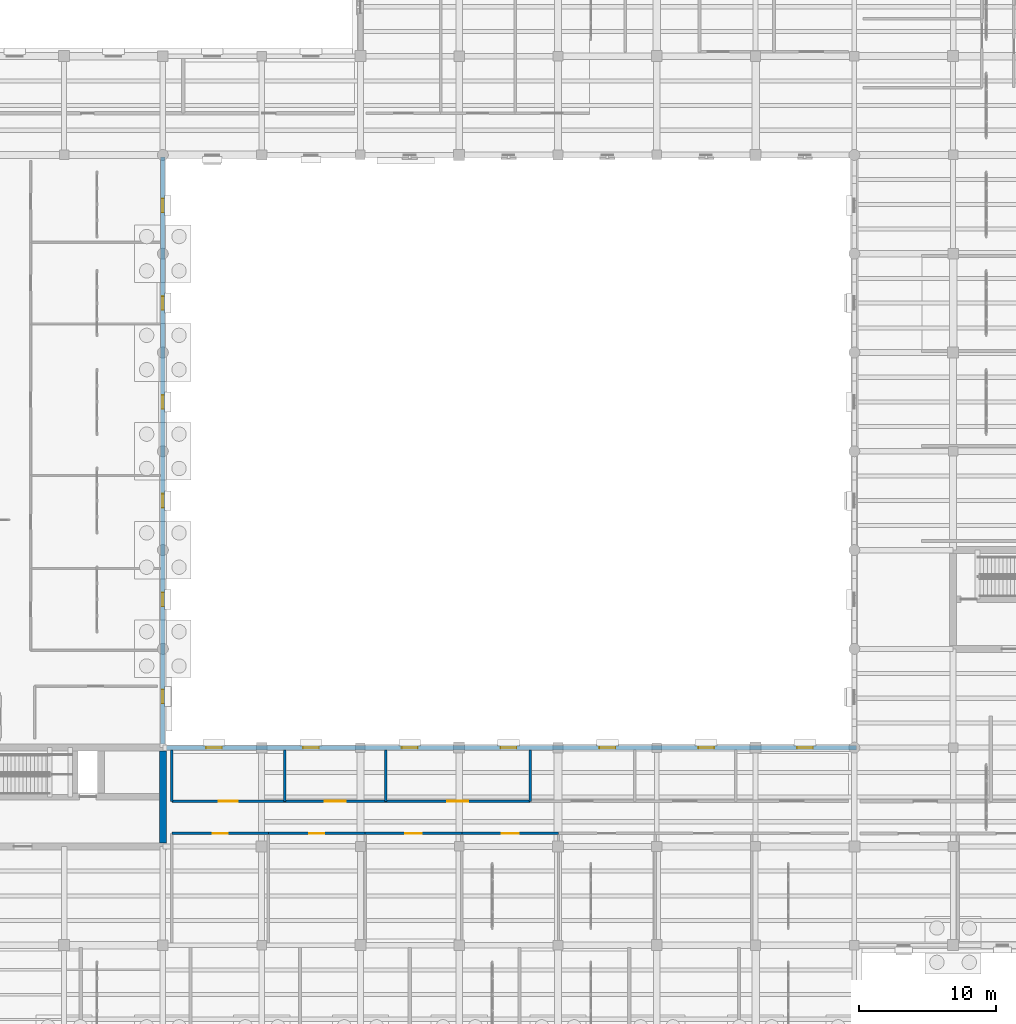
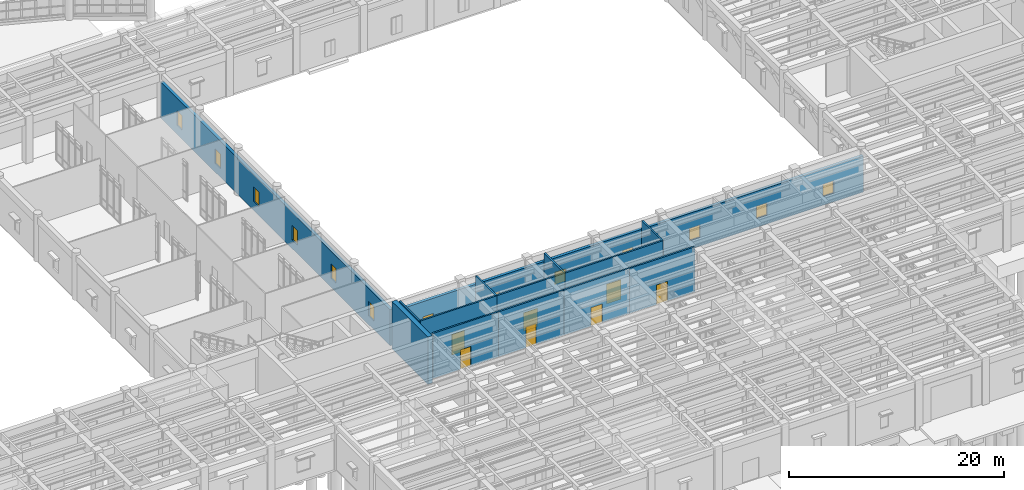
# One storey, part 73 of 100: 14 walls, 13 windows, 7 doors, 20 openings.
"""IFC4 building model written with IfcOpenShell, lengths in metres."""

from ifc_helpers import new_model, si_unit, direction, frame, frame_2d, origin, place, context, subcontext, project, spatial, rectangle, extrude, material, layer, layer_set, type_object, element, fill, save


model = new_model("IFC4")

# Units and contexts
model_context = context("Model", 3, precision=1e-05, world=origin(), true_north=direction((0.0, 1.0)))
body_context = subcontext(model_context, "Body", "Model", "MODEL_VIEW")
ifc_project = project(units=[si_unit("LENGTHUNIT", "METRE"), si_unit("AREAUNIT", "SQUARE_METRE"), si_unit("VOLUMEUNIT", "CUBIC_METRE"), si_unit("PLANEANGLEUNIT", "RADIAN"), si_unit("MASSUNIT", "GRAM", prefix="KILO")], contexts=[model_context])

# Site, building, storey
site_placement = place(None, origin())
site = spatial("IfcSite", under=ifc_project, at=site_placement, CompositionType="ELEMENT")
building_placement = place(site_placement, origin())
building = spatial("IfcBuilding", under=site, at=building_placement, Name="Mithqara Police Headquarters", CompositionType="ELEMENT")
storey_placement = place(building_placement, origin())
storey = spatial("IfcBuildingStorey", under=building, at=storey_placement, Name="L00", CompositionType="ELEMENT", Elevation=0.0)

# Wall, openings, windows
ifc_material_1 = material(Name="Limestone ashlar masonry, 45 MPa", Category="masonry")
ifc_layer_1 = layer(ifc_material_1, 0.320068359375, Name="Limestone ashlar masonry, 45 MPa")
ifc_layer_set_1 = layer_set([ifc_layer_1], Name="Limestone ashlar masonry, 45 MPa")
wall_type_1 = type_object("IfcWallType", Name="EXT WALL LIMESTONE320", PredefinedType="SOLIDWALL", material=ifc_layer_set_1)
wall_1_placement = place(storey_placement, frame((94.199951171875, 35.64990234375, 0.0), z_axis=(0.0, 0.0, 1.0), x_axis=(0.0, 1.0, 0.0)))
wall_1 = element("IfcWall", 1, at=wall_1_placement, inside=storey, type_object=wall_type_1, Name="L00 Exterior Wall 1.1", PredefinedType="SOLIDWALL", context=body_context, shape_type="SweptSolid", body=[
    extrude(rectangle(XDim=42.7900390625, YDim=0.320068359375, at=frame_2d((21.39501953125, 0.0))), origin(), (0.0, 0.0, 1.0), 4.1201171875),
])
opening_1_placement = place(wall_1_placement, frame((2.97509765625, 0.0, 1.0)))
opening_1 = element("IfcOpeningElement", 2, at=opening_1_placement, cuts=wall_1, Name="Opening W-07", PredefinedType="OPENING", context=body_context, shape_type="SweptSolid", body=[
    extrude(rectangle(XDim=1.0, YDim=1.64990234375, at=frame_2d((0.5, 0.824951171875))), frame((0.0, 0.169921875, 0.0), z_axis=(0.0, -1.0, 0.0), x_axis=(1.0, 0.0, 0.0)), (0.0, 0.0, 1.0), 0.340087890625),
])
opening_2_placement = place(wall_1_placement, frame((10.050048828125, 0.0, 1.0)))
opening_2 = element("IfcOpeningElement", 3, at=opening_2_placement, cuts=wall_1, Name="Opening W-07", PredefinedType="OPENING", context=body_context, shape_type="SweptSolid", body=[
    extrude(rectangle(XDim=1.0, YDim=1.64990234375, at=frame_2d((0.5, 0.824951171875))), frame((0.0, 0.169921875, 0.0), z_axis=(0.0, -1.0, 0.0), x_axis=(1.0, 0.0, 0.0)), (0.0, 0.0, 1.0), 0.340087890625),
])
opening_3_placement = place(wall_1_placement, frame((17.25, 0.0, 1.0)))
opening_3 = element("IfcOpeningElement", 4, at=opening_3_placement, cuts=wall_1, Name="Opening W-07", PredefinedType="OPENING", context=body_context, shape_type="SweptSolid", body=[
    extrude(rectangle(XDim=1.0, YDim=1.64990234375, at=frame_2d((0.5, 0.824951171875))), frame((0.0, 0.169921875, 0.0), z_axis=(0.0, -1.0, 0.0), x_axis=(1.0, 0.0, 0.0)), (0.0, 0.0, 1.0), 0.340087890625),
])
opening_4_placement = place(wall_1_placement, frame((24.449951171875, 0.0, 1.0)))
opening_4 = element("IfcOpeningElement", 5, at=opening_4_placement, cuts=wall_1, Name="Opening W-07", PredefinedType="OPENING", context=body_context, shape_type="SweptSolid", body=[
    extrude(rectangle(XDim=1.0, YDim=1.64990234375, at=frame_2d((0.5, 0.824951171875))), frame((0.0, 0.169921875, 0.0), z_axis=(0.0, -1.0, 0.0), x_axis=(1.0, 0.0, 0.0)), (0.0, 0.0, 1.0), 0.340087890625),
])
opening_5_placement = place(wall_1_placement, frame((31.64990234375, 0.0, 1.0)))
opening_5 = element("IfcOpeningElement", 6, at=opening_5_placement, cuts=wall_1, Name="Opening W-07", PredefinedType="OPENING", context=body_context, shape_type="SweptSolid", body=[
    extrude(rectangle(XDim=1.0, YDim=1.64990234375, at=frame_2d((0.5, 0.824951171875))), frame((0.0, 0.169921875, 0.0), z_axis=(0.0, -1.0, 0.0), x_axis=(1.0, 0.0, 0.0)), (0.0, 0.0, 1.0), 0.340087890625),
])
opening_6_placement = place(wall_1_placement, frame((38.77001953125, 0.0, 1.0)))
opening_6 = element("IfcOpeningElement", 7, at=opening_6_placement, cuts=wall_1, Name="Opening W-07", PredefinedType="OPENING", context=body_context, shape_type="SweptSolid", body=[
    extrude(rectangle(XDim=1.0, YDim=1.64990234375, at=frame_2d((0.5, 0.824951171875))), frame((0.0, 0.169921875, 0.0), z_axis=(0.0, -1.0, 0.0), x_axis=(1.0, 0.0, 0.0)), (0.0, 0.0, 1.0), 0.340087890625),
])
ifc_material_2 = material(Name="Spectrally selective double low-e glass", Category="glass")
window_type_1 = type_object("IfcWindowType", Name="WINDOW 1000X1650", PartitioningType="SINGLE_PANEL", PredefinedType="WINDOW", material=ifc_material_2)
window_1_placement = place(opening_1_placement, origin())
window_1 = element("IfcWindow", 8, at=window_1_placement, inside=storey, type_object=window_type_1, Name="L00 Deep-Set Punched Window 1.1", OverallHeight=1.64990234375, OverallWidth=1.0, PartitioningType="SINGLE_PANEL", PredefinedType="WINDOW", context=body_context, shape_type="SweptSolid", body=[
    extrude(rectangle(XDim=1.0, YDim=1.64990234375, at=frame_2d((0.5, 0.824951171875))), frame((0.0, 0.030029296875, 0.0), z_axis=(0.0, -1.0, 0.0), x_axis=(1.0, 0.0, 0.0)), (0.0, 0.0, 1.0), 0.06005859375),
])
fill(opening_1, window_1)
window_2_placement = place(opening_2_placement, origin())
window_2 = element("IfcWindow", 9, at=window_2_placement, inside=storey, type_object=window_type_1, Name="L00 Deep-Set Punched Window 1.2", OverallHeight=1.64990234375, OverallWidth=1.0, PartitioningType="SINGLE_PANEL", PredefinedType="WINDOW", context=body_context, shape_type="SweptSolid", body=[
    extrude(rectangle(XDim=1.0, YDim=1.64990234375, at=frame_2d((0.5, 0.824951171875))), frame((0.0, 0.030029296875, 0.0), z_axis=(0.0, -1.0, 0.0), x_axis=(1.0, 0.0, 0.0)), (0.0, 0.0, 1.0), 0.06005859375),
])
fill(opening_2, window_2)
window_3_placement = place(opening_3_placement, origin())
window_3 = element("IfcWindow", 10, at=window_3_placement, inside=storey, type_object=window_type_1, Name="L00 Deep-Set Punched Window 1.3", OverallHeight=1.64990234375, OverallWidth=1.0, PartitioningType="SINGLE_PANEL", PredefinedType="WINDOW", context=body_context, shape_type="SweptSolid", body=[
    extrude(rectangle(XDim=1.0, YDim=1.64990234375, at=frame_2d((0.5, 0.824951171875))), frame((0.0, 0.030029296875, 0.0), z_axis=(0.0, -1.0, 0.0), x_axis=(1.0, 0.0, 0.0)), (0.0, 0.0, 1.0), 0.06005859375),
])
fill(opening_3, window_3)
window_4_placement = place(opening_4_placement, origin())
window_4 = element("IfcWindow", 11, at=window_4_placement, inside=storey, type_object=window_type_1, Name="L00 Deep-Set Punched Window 1.4", OverallHeight=1.64990234375, OverallWidth=1.0, PartitioningType="SINGLE_PANEL", PredefinedType="WINDOW", context=body_context, shape_type="SweptSolid", body=[
    extrude(rectangle(XDim=1.0, YDim=1.64990234375, at=frame_2d((0.5, 0.824951171875))), frame((0.0, 0.030029296875, 0.0), z_axis=(0.0, -1.0, 0.0), x_axis=(1.0, 0.0, 0.0)), (0.0, 0.0, 1.0), 0.06005859375),
])
fill(opening_4, window_4)
window_5_placement = place(opening_5_placement, origin())
window_5 = element("IfcWindow", 12, at=window_5_placement, inside=storey, type_object=window_type_1, Name="L00 Deep-Set Punched Window 1.5", OverallHeight=1.64990234375, OverallWidth=1.0, PartitioningType="SINGLE_PANEL", PredefinedType="WINDOW", context=body_context, shape_type="SweptSolid", body=[
    extrude(rectangle(XDim=1.0, YDim=1.64990234375, at=frame_2d((0.5, 0.824951171875))), frame((0.0, 0.030029296875, 0.0), z_axis=(0.0, -1.0, 0.0), x_axis=(1.0, 0.0, 0.0)), (0.0, 0.0, 1.0), 0.06005859375),
])
fill(opening_5, window_5)
window_6_placement = place(opening_6_placement, origin())
window_6 = element("IfcWindow", 13, at=window_6_placement, inside=storey, type_object=window_type_1, Name="L00 Deep-Set Punched Window 1.6", OverallHeight=1.64990234375, OverallWidth=1.0, PartitioningType="SINGLE_PANEL", PredefinedType="WINDOW", context=body_context, shape_type="SweptSolid", body=[
    extrude(rectangle(XDim=1.0, YDim=1.64990234375, at=frame_2d((0.5, 0.824951171875))), frame((0.0, 0.030029296875, 0.0), z_axis=(0.0, -1.0, 0.0), x_axis=(1.0, 0.0, 0.0)), (0.0, 0.0, 1.0), 0.06005859375),
])
fill(opening_6, window_6)

wall_2_placement = place(storey_placement, frame((144.760009765625, 35.39990234375, 0.0), z_axis=(0.0, 0.0, 1.0), x_axis=(-1.0, 0.0, 0.0)))
wall_2 = element("IfcWall", 14, at=wall_2_placement, inside=storey, type_object=wall_type_1, Name="L00 Exterior Wall 5.1", PredefinedType="SOLIDWALL", context=body_context, shape_type="SweptSolid", body=[
    extrude(rectangle(XDim=50.31005859375, YDim=0.320068359375, at=frame_2d((25.155029296875, 0.0))), origin(), (0.0, 0.0, 1.0), 4.1201171875),
])
opening_7_placement = place(wall_2_placement, frame((46.260009765625, 0.0, 1.0)))
opening_7 = element("IfcOpeningElement", 15, at=opening_7_placement, cuts=wall_2, Name="Opening W-11", PredefinedType="OPENING", context=body_context, shape_type="SweptSolid", body=[
    extrude(rectangle(XDim=1.14990234375, YDim=1.39990234375, at=frame_2d((0.574951171875, 0.699951171875))), frame((0.0, 0.169921875, 0.0), z_axis=(0.0, -1.0, 0.0), x_axis=(1.0, 0.0, 0.0)), (0.0, 0.0, 1.0), 0.340087890625),
])
opening_8_placement = place(wall_2_placement, frame((39.18505859375, 0.0, 1.0)))
opening_8 = element("IfcOpeningElement", 16, at=opening_8_placement, cuts=wall_2, Name="Opening W-11", PredefinedType="OPENING", context=body_context, shape_type="SweptSolid", body=[
    extrude(rectangle(XDim=1.14990234375, YDim=1.39990234375, at=frame_2d((0.574951171875, 0.699951171875))), frame((0.0, 0.169921875, 0.0), z_axis=(0.0, -1.0, 0.0), x_axis=(1.0, 0.0, 0.0)), (0.0, 0.0, 1.0), 0.340087890625),
])
opening_9_placement = place(wall_2_placement, frame((31.985107421875, 0.0, 1.0)))
opening_9 = element("IfcOpeningElement", 17, at=opening_9_placement, cuts=wall_2, Name="Opening W-11", PredefinedType="OPENING", context=body_context, shape_type="SweptSolid", body=[
    extrude(rectangle(XDim=1.14990234375, YDim=1.39990234375, at=frame_2d((0.574951171875, 0.699951171875))), frame((0.0, 0.169921875, 0.0), z_axis=(0.0, -1.0, 0.0), x_axis=(1.0, 0.0, 0.0)), (0.0, 0.0, 1.0), 0.340087890625),
])
opening_10_placement = place(wall_2_placement, frame((24.784912109375, 0.0, 1.0)))
opening_10 = element("IfcOpeningElement", 18, at=opening_10_placement, cuts=wall_2, Name="Opening W-11", PredefinedType="OPENING", context=body_context, shape_type="SweptSolid", body=[
    extrude(rectangle(XDim=1.14990234375, YDim=1.39990234375, at=frame_2d((0.574951171875, 0.699951171875))), frame((0.0, 0.169921875, 0.0), z_axis=(0.0, -1.0, 0.0), x_axis=(1.0, 0.0, 0.0)), (0.0, 0.0, 1.0), 0.340087890625),
])
opening_11_placement = place(wall_2_placement, frame((17.5849609375, 0.0, 1.0)))
opening_11 = element("IfcOpeningElement", 19, at=opening_11_placement, cuts=wall_2, Name="Opening W-11", PredefinedType="OPENING", context=body_context, shape_type="SweptSolid", body=[
    extrude(rectangle(XDim=1.14990234375, YDim=1.39990234375, at=frame_2d((0.574951171875, 0.699951171875))), frame((0.0, 0.169921875, 0.0), z_axis=(0.0, -1.0, 0.0), x_axis=(1.0, 0.0, 0.0)), (0.0, 0.0, 1.0), 0.340087890625),
])
opening_12_placement = place(wall_2_placement, frame((10.385009765625, 0.0, 1.0)))
opening_12 = element("IfcOpeningElement", 20, at=opening_12_placement, cuts=wall_2, Name="Opening W-11", PredefinedType="OPENING", context=body_context, shape_type="SweptSolid", body=[
    extrude(rectangle(XDim=1.14990234375, YDim=1.39990234375, at=frame_2d((0.574951171875, 0.699951171875))), frame((0.0, 0.169921875, 0.0), z_axis=(0.0, -1.0, 0.0), x_axis=(1.0, 0.0, 0.0)), (0.0, 0.0, 1.0), 0.340087890625),
])
opening_13_placement = place(wall_2_placement, frame((3.18505859375, 0.0, 1.0)))
opening_13 = element("IfcOpeningElement", 21, at=opening_13_placement, cuts=wall_2, Name="Opening W-11", PredefinedType="OPENING", context=body_context, shape_type="SweptSolid", body=[
    extrude(rectangle(XDim=1.14990234375, YDim=1.39990234375, at=frame_2d((0.574951171875, 0.699951171875))), frame((0.0, 0.169921875, 0.0), z_axis=(0.0, -1.0, 0.0), x_axis=(1.0, 0.0, 0.0)), (0.0, 0.0, 1.0), 0.340087890625),
])
window_type_2 = type_object("IfcWindowType", Name="WINDOW 1150X1400", PartitioningType="SINGLE_PANEL", PredefinedType="WINDOW", material=ifc_material_2)
window_7_placement = place(opening_7_placement, origin())
window_7 = element("IfcWindow", 22, at=window_7_placement, inside=storey, type_object=window_type_2, Name="L00 Deep-Set Punched Window 5.1", OverallHeight=1.39990234375, OverallWidth=1.14990234375, PartitioningType="SINGLE_PANEL", PredefinedType="WINDOW", context=body_context, shape_type="SweptSolid", body=[
    extrude(rectangle(XDim=1.14990234375, YDim=1.39990234375, at=frame_2d((0.574951171875, 0.699951171875))), frame((0.0, 0.030029296875, 0.0), z_axis=(0.0, -1.0, 0.0), x_axis=(1.0, 0.0, 0.0)), (0.0, 0.0, 1.0), 0.06005859375),
])
fill(opening_7, window_7)
window_8_placement = place(opening_8_placement, origin())
window_8 = element("IfcWindow", 23, at=window_8_placement, inside=storey, type_object=window_type_2, Name="L00 Deep-Set Punched Window 5.2", OverallHeight=1.39990234375, OverallWidth=1.14990234375, PartitioningType="SINGLE_PANEL", PredefinedType="WINDOW", context=body_context, shape_type="SweptSolid", body=[
    extrude(rectangle(XDim=1.14990234375, YDim=1.39990234375, at=frame_2d((0.574951171875, 0.699951171875))), frame((0.0, 0.030029296875, 0.0), z_axis=(0.0, -1.0, 0.0), x_axis=(1.0, 0.0, 0.0)), (0.0, 0.0, 1.0), 0.06005859375),
])
fill(opening_8, window_8)
window_9_placement = place(opening_9_placement, origin())
window_9 = element("IfcWindow", 24, at=window_9_placement, inside=storey, type_object=window_type_2, Name="L00 Deep-Set Punched Window 5.3", OverallHeight=1.39990234375, OverallWidth=1.14990234375, PartitioningType="SINGLE_PANEL", PredefinedType="WINDOW", context=body_context, shape_type="SweptSolid", body=[
    extrude(rectangle(XDim=1.14990234375, YDim=1.39990234375, at=frame_2d((0.574951171875, 0.699951171875))), frame((0.0, 0.030029296875, 0.0), z_axis=(0.0, -1.0, 0.0), x_axis=(1.0, 0.0, 0.0)), (0.0, 0.0, 1.0), 0.06005859375),
])
fill(opening_9, window_9)
window_10_placement = place(opening_10_placement, origin())
window_10 = element("IfcWindow", 25, at=window_10_placement, inside=storey, type_object=window_type_2, Name="L00 Deep-Set Punched Window 5.4", OverallHeight=1.39990234375, OverallWidth=1.14990234375, PartitioningType="SINGLE_PANEL", PredefinedType="WINDOW", context=body_context, shape_type="SweptSolid", body=[
    extrude(rectangle(XDim=1.14990234375, YDim=1.39990234375, at=frame_2d((0.574951171875, 0.699951171875))), frame((0.0, 0.030029296875, 0.0), z_axis=(0.0, -1.0, 0.0), x_axis=(1.0, 0.0, 0.0)), (0.0, 0.0, 1.0), 0.06005859375),
])
fill(opening_10, window_10)
window_11_placement = place(opening_11_placement, origin())
window_11 = element("IfcWindow", 26, at=window_11_placement, inside=storey, type_object=window_type_2, Name="L00 Deep-Set Punched Window 5.5", OverallHeight=1.39990234375, OverallWidth=1.14990234375, PartitioningType="SINGLE_PANEL", PredefinedType="WINDOW", context=body_context, shape_type="SweptSolid", body=[
    extrude(rectangle(XDim=1.14990234375, YDim=1.39990234375, at=frame_2d((0.574951171875, 0.699951171875))), frame((0.0, 0.030029296875, 0.0), z_axis=(0.0, -1.0, 0.0), x_axis=(1.0, 0.0, 0.0)), (0.0, 0.0, 1.0), 0.06005859375),
])
fill(opening_11, window_11)
window_12_placement = place(opening_12_placement, origin())
window_12 = element("IfcWindow", 27, at=window_12_placement, inside=storey, type_object=window_type_2, Name="L00 Deep-Set Punched Window 5.6", OverallHeight=1.39990234375, OverallWidth=1.14990234375, PartitioningType="SINGLE_PANEL", PredefinedType="WINDOW", context=body_context, shape_type="SweptSolid", body=[
    extrude(rectangle(XDim=1.14990234375, YDim=1.39990234375, at=frame_2d((0.574951171875, 0.699951171875))), frame((0.0, 0.030029296875, 0.0), z_axis=(0.0, -1.0, 0.0), x_axis=(1.0, 0.0, 0.0)), (0.0, 0.0, 1.0), 0.06005859375),
])
fill(opening_12, window_12)
window_13_placement = place(opening_13_placement, origin())
window_13 = element("IfcWindow", 28, at=window_13_placement, inside=storey, type_object=window_type_2, Name="L00 Deep-Set Punched Window 5.7", OverallHeight=1.39990234375, OverallWidth=1.14990234375, PartitioningType="SINGLE_PANEL", PredefinedType="WINDOW", context=body_context, shape_type="SweptSolid", body=[
    extrude(rectangle(XDim=1.14990234375, YDim=1.39990234375, at=frame_2d((0.574951171875, 0.699951171875))), frame((0.0, 0.030029296875, 0.0), z_axis=(0.0, -1.0, 0.0), x_axis=(1.0, 0.0, 0.0)), (0.0, 0.0, 1.0), 0.06005859375),
])
fill(opening_13, window_13)

# Wall, opening, door
ifc_material_3 = material(Name="Concrete C40/50", Category="concrete")
ifc_layer_2 = layer(ifc_material_3, 0.179931640625, Name="Concrete C40/50")
ifc_layer_set_2 = layer_set([ifc_layer_2], Name="Concrete C40/50")
wall_type_2 = type_object("IfcWallType", Name="PART WALL 180", PredefinedType="PARTITIONING", material=ifc_layer_set_2)
wall_3_placement = place(storey_placement, frame((94.85009765625, 29.14990234375, 0.0), z_axis=(0.0, 0.0, 1.0), x_axis=(1.0, 0.0, 0.0)))
wall_3 = element("IfcWall", 29, at=wall_3_placement, inside=storey, type_object=wall_type_2, Name="L00 Corridor Wall Lost and Found Counter", PredefinedType="PARTITIONING", context=body_context, shape_type="SweptSolid", body=[
    extrude(rectangle(XDim=7.046875, YDim=0.179931640625, at=frame_2d((3.5234375, 0.0))), origin(), (0.0, 0.0, 1.0), 5.1201171875),
])
opening_14_placement = place(wall_3_placement, frame((2.973388671875, 0.0, 0.0)))
opening_14 = element("IfcOpeningElement", 30, at=opening_14_placement, cuts=wall_3, Name="Opening D-11", PredefinedType="OPENING", context=body_context, shape_type="SweptSolid", body=[
    extrude(rectangle(XDim=1.10009765625, YDim=2.219970703125, at=frame_2d((0.550048828125, 1.10986328125))), frame((0.0, 0.10009765625, 0.0), z_axis=(0.0, -1.0, 0.0), x_axis=(1.0, 0.0, 0.0)), (0.0, 0.0, 1.0), 0.199951171875),
])
ifc_material_4 = material(Name="Acoustic solid-core timber leaf", Category="wood")
door_type_1 = type_object("IfcDoorType", Name="INT DOOR 1100X2220", OperationType="NOTDEFINED", PredefinedType="DOOR", material=ifc_material_4)
door_1_placement = place(opening_14_placement, frame((1.10009765625, 0.0, 0.0), z_axis=(0.0, 0.0, 1.0), x_axis=(-1.0, 0.0, 0.0)))
door_1 = element("IfcDoor", 31, at=door_1_placement, inside=storey, type_object=door_type_1, Name="Lost and Found Counter Entry Door", OperationType="SINGLE_SWING_RIGHT", OverallHeight=2.219970703125, OverallWidth=1.10009765625, PredefinedType="DOOR", context=body_context, shape_type="SweptSolid", body=[
    extrude(rectangle(XDim=1.10009765625, YDim=2.219970703125, at=frame_2d((0.550048828125, 1.10986328125))), frame((0.0, 0.02490234375, 0.0), z_axis=(0.0, -1.0, 0.0), x_axis=(1.0, 0.0, 0.0)), (0.0, 0.0, 1.0), 0.050048828125),
])
fill(opening_14, door_1)

wall_4_placement = place(storey_placement, frame((101.89697265625, 29.14990234375, 0.0), z_axis=(0.0, 0.0, 1.0), x_axis=(1.0, 0.0, 0.0)))
wall_4 = element("IfcWall", 32, at=wall_4_placement, inside=storey, type_object=wall_type_2, Name="L00 Corridor Wall Victim Support Consultation Room", PredefinedType="PARTITIONING", context=body_context, shape_type="SweptSolid", body=[
    extrude(rectangle(XDim=7.047119140625, YDim=0.179931640625, at=frame_2d((3.5234375, 0.0))), origin(), (0.0, 0.0, 1.0), 5.1201171875),
])
opening_15_placement = place(wall_4_placement, frame((2.973388671875, 0.0, 0.0)))
opening_15 = element("IfcOpeningElement", 33, at=opening_15_placement, cuts=wall_4, Name="Opening D-12", PredefinedType="OPENING", context=body_context, shape_type="SweptSolid", body=[
    extrude(rectangle(XDim=1.10009765625, YDim=2.35009765625, at=frame_2d((0.550048828125, 1.175048828125))), frame((0.0, 0.10009765625, 0.0), z_axis=(0.0, -1.0, 0.0), x_axis=(1.0, 0.0, 0.0)), (0.0, 0.0, 1.0), 0.199951171875),
])
door_type_2 = type_object("IfcDoorType", Name="INT DOOR 1100X2350", OperationType="NOTDEFINED", PredefinedType="DOOR", material=ifc_material_4)
door_2_placement = place(opening_15_placement, frame((1.10009765625, 0.0, 0.0), z_axis=(0.0, 0.0, 1.0), x_axis=(-1.0, 0.0, 0.0)))
door_2 = element("IfcDoor", 34, at=door_2_placement, inside=storey, type_object=door_type_2, Name="Victim Support Consultation Room Entry Door", OperationType="SINGLE_SWING_LEFT", OverallHeight=2.35009765625, OverallWidth=1.10009765625, PredefinedType="DOOR", context=body_context, shape_type="SweptSolid", body=[
    extrude(rectangle(XDim=1.10009765625, YDim=2.35009765625, at=frame_2d((0.550048828125, 1.175048828125))), frame((0.0, 0.02490234375, 0.0), z_axis=(0.0, -1.0, 0.0), x_axis=(1.0, 0.0, 0.0)), (0.0, 0.0, 1.0), 0.050048828125),
])
fill(opening_15, door_2)

wall_5_placement = place(storey_placement, frame((108.944091796875, 29.14990234375, 0.0), z_axis=(0.0, 0.0, 1.0), x_axis=(1.0, 0.0, 0.0)))
wall_5 = element("IfcWall", 35, at=wall_5_placement, inside=storey, type_object=wall_type_2, Name="L00 Corridor Wall Witness Reception Room", PredefinedType="PARTITIONING", context=body_context, shape_type="SweptSolid", body=[
    extrude(rectangle(XDim=7.046875, YDim=0.179931640625, at=frame_2d((3.5234375, 0.0))), origin(), (0.0, 0.0, 1.0), 5.1201171875),
])
opening_16_placement = place(wall_5_placement, frame((2.91357421875, 0.0, 0.0)))
opening_16 = element("IfcOpeningElement", 36, at=opening_16_placement, cuts=wall_5, Name="Opening D-13", PredefinedType="OPENING", context=body_context, shape_type="SweptSolid", body=[
    extrude(rectangle(XDim=1.219970703125, YDim=2.10009765625, at=frame_2d((0.60986328125, 1.050048828125))), frame((0.0, 0.10009765625, 0.0), z_axis=(0.0, -1.0, 0.0), x_axis=(1.0, 0.0, 0.0)), (0.0, 0.0, 1.0), 0.199951171875),
])
door_type_3 = type_object("IfcDoorType", Name="INT DOOR 1220X2100", OperationType="NOTDEFINED", PredefinedType="DOOR", material=ifc_material_4)
door_3_placement = place(opening_16_placement, frame((1.219970703125, 0.0, 0.0), z_axis=(0.0, 0.0, 1.0), x_axis=(-1.0, 0.0, 0.0)))
door_3 = element("IfcDoor", 37, at=door_3_placement, inside=storey, type_object=door_type_3, Name="Witness Reception Room Entry Door", OperationType="SINGLE_SWING_RIGHT", OverallHeight=2.10009765625, OverallWidth=1.219970703125, PredefinedType="DOOR", context=body_context, shape_type="SweptSolid", body=[
    extrude(rectangle(XDim=1.219970703125, YDim=2.10009765625, at=frame_2d((0.60986328125, 1.050048828125))), frame((0.0, 0.02490234375, 0.0), z_axis=(0.0, -1.0, 0.0), x_axis=(1.0, 0.0, 0.0)), (0.0, 0.0, 1.0), 0.050048828125),
])
fill(opening_16, door_3)

wall_6_placement = place(storey_placement, frame((115.990966796875, 29.14990234375, 0.0), z_axis=(0.0, 0.0, 1.0), x_axis=(1.0, 0.0, 0.0)))
wall_6 = element("IfcWall", 38, at=wall_6_placement, inside=storey, type_object=wall_type_2, Name="L00 Corridor Wall Lost and Found Counter", PredefinedType="PARTITIONING", context=body_context, shape_type="SweptSolid", body=[
    extrude(rectangle(XDim=7.048095703125, YDim=0.179931640625, at=frame_2d((3.52392578125, 0.0))), origin(), (0.0, 0.0, 1.0), 5.1201171875),
])
opening_17_placement = place(wall_6_placement, frame((2.9140625, 0.0, 0.0)))
opening_17 = element("IfcOpeningElement", 39, at=opening_17_placement, cuts=wall_6, Name="Opening D-14", PredefinedType="OPENING", context=body_context, shape_type="SweptSolid", body=[
    extrude(rectangle(XDim=1.219970703125, YDim=2.219970703125, at=frame_2d((0.60986328125, 1.10986328125))), frame((0.0, 0.10009765625, 0.0), z_axis=(0.0, -1.0, 0.0), x_axis=(1.0, 0.0, 0.0)), (0.0, 0.0, 1.0), 0.199951171875),
])
door_type_4 = type_object("IfcDoorType", Name="INT DOOR 1220X2220", OperationType="NOTDEFINED", PredefinedType="DOOR", material=ifc_material_4)
door_4_placement = place(opening_17_placement, frame((1.219970703125, 0.0, 0.0), z_axis=(0.0, 0.0, 1.0), x_axis=(-1.0, 0.0, 0.0)))
door_4 = element("IfcDoor", 40, at=door_4_placement, inside=storey, type_object=door_type_4, Name="Lost and Found Counter Entry Door", OperationType="SINGLE_SWING_LEFT", OverallHeight=2.219970703125, OverallWidth=1.219970703125, PredefinedType="DOOR", context=body_context, shape_type="SweptSolid", body=[
    extrude(rectangle(XDim=1.219970703125, YDim=2.219970703125, at=frame_2d((0.60986328125, 1.10986328125))), frame((0.0, 0.02490234375, 0.0), z_axis=(0.0, -1.0, 0.0), x_axis=(1.0, 0.0, 0.0)), (0.0, 0.0, 1.0), 0.050048828125),
])
fill(opening_17, door_4)

# Wall
wall_7_placement = place(storey_placement, frame((94.85009765625, 31.489990234375, 0.0), z_axis=(0.0, 0.0, 1.0), x_axis=(0.0, 1.0, 0.0)))
element("IfcWall", 41, at=wall_7_placement, inside=storey, type_object=wall_type_2, Name="L00 Partition End Closure E0", PredefinedType="PARTITIONING", context=body_context, shape_type="SweptSolid", body=[
    extrude(rectangle(XDim=3.72998046875, YDim=0.179931640625, at=frame_2d((1.864990234375, 0.0))), origin(), (0.0, 0.0, 1.0), 5.1201171875),
])

# Wall, opening, door
wall_8_placement = place(storey_placement, frame((94.85009765625, 31.489990234375, 0.0), z_axis=(0.0, 0.0, 1.0), x_axis=(1.0, 0.0, 0.0)))
wall_8 = element("IfcWall", 42, at=wall_8_placement, inside=storey, type_object=wall_type_2, Name="L00 Corridor Wall Victim Support Consultation Room", PredefinedType="PARTITIONING", context=body_context, shape_type="SweptSolid", body=[
    extrude(rectangle(XDim=8.221923828125, YDim=0.179931640625, at=frame_2d((4.11083984375, 0.0))), origin(), (0.0, 0.0, 1.0), 5.1201171875),
])
opening_18_placement = place(wall_8_placement, frame((3.430908203125, 0.0, 0.0)))
opening_18 = element("IfcOpeningElement", 43, at=opening_18_placement, cuts=wall_8, Name="Opening D-18", PredefinedType="OPENING", context=body_context, shape_type="SweptSolid", body=[
    extrude(rectangle(XDim=1.360107421875, YDim=2.35009765625, at=frame_2d((0.68017578125, 1.175048828125))), frame((0.0, 0.10009765625, 0.0), z_axis=(0.0, -1.0, 0.0), x_axis=(1.0, 0.0, 0.0)), (0.0, 0.0, 1.0), 0.199951171875),
])
ifc_material_5 = material(Name="Bronze anodised aluminium 6063-T6", Category="aluminium")
door_type_5 = type_object("IfcDoorType", Name="INT DOOR 1360X2350", OperationType="NOTDEFINED", PredefinedType="DOOR", material=ifc_material_5)
door_5_placement = place(opening_18_placement, origin())
door_5 = element("IfcDoor", 44, at=door_5_placement, inside=storey, type_object=door_type_5, Name="Victim Support Consultation Room Entry Door", OperationType="SINGLE_SWING_LEFT", OverallHeight=2.35009765625, OverallWidth=1.360107421875, PredefinedType="DOOR", context=body_context, shape_type="SweptSolid", body=[
    extrude(rectangle(XDim=1.360107421875, YDim=2.35009765625, at=frame_2d((0.68017578125, 1.175048828125))), frame((0.0, 0.02490234375, 0.0), z_axis=(0.0, -1.0, 0.0), x_axis=(1.0, 0.0, 0.0)), (0.0, 0.0, 1.0), 0.050048828125),
])
fill(opening_18, door_5)

# Wall
wall_9_placement = place(storey_placement, frame((103.072021484375, 31.489990234375, 0.0), z_axis=(0.0, 0.0, 1.0), x_axis=(0.0, 1.0, 0.0)))
element("IfcWall", 45, at=wall_9_placement, inside=storey, type_object=wall_type_2, Name="L00 Room Partition Victim Support Consultation Room", PredefinedType="PARTITIONING", context=body_context, shape_type="SweptSolid", body=[
    extrude(rectangle(XDim=3.72998046875, YDim=0.179931640625, at=frame_2d((1.864990234375, 0.0))), origin(), (0.0, 0.0, 1.0), 5.1201171875),
])

# Wall, opening, door
wall_10_placement = place(storey_placement, frame((103.072021484375, 31.489990234375, 0.0), z_axis=(0.0, 0.0, 1.0), x_axis=(1.0, 0.0, 0.0)))
wall_10 = element("IfcWall", 46, at=wall_10_placement, inside=storey, type_object=wall_type_2, Name="L00 Corridor Wall Witness Reception Room", PredefinedType="PARTITIONING", context=body_context, shape_type="SweptSolid", body=[
    extrude(rectangle(XDim=7.37109375, YDim=0.179931640625, at=frame_2d((3.685546875, 0.0))), origin(), (0.0, 0.0, 1.0), 5.1201171875),
])
opening_19_placement = place(wall_10_placement, frame((2.925537109375, 0.0, 0.0)))
opening_19 = element("IfcOpeningElement", 47, at=opening_19_placement, cuts=wall_10, Name="Opening D-19", PredefinedType="OPENING", context=body_context, shape_type="SweptSolid", body=[
    extrude(rectangle(XDim=1.52001953125, YDim=2.10009765625, at=frame_2d((0.760009765625, 1.050048828125))), frame((0.0, 0.10009765625, 0.0), z_axis=(0.0, -1.0, 0.0), x_axis=(1.0, 0.0, 0.0)), (0.0, 0.0, 1.0), 0.199951171875),
])
door_type_6 = type_object("IfcDoorType", Name="INT DOOR 1520X2100", OperationType="NOTDEFINED", PredefinedType="DOOR", material=ifc_material_5)
door_6_placement = place(opening_19_placement, origin())
door_6 = element("IfcDoor", 48, at=door_6_placement, inside=storey, type_object=door_type_6, Name="Witness Reception Room Entry Door", OperationType="DOUBLE_DOOR_SINGLE_SWING", OverallHeight=2.10009765625, OverallWidth=1.52001953125, PredefinedType="DOOR", context=body_context, shape_type="SweptSolid", body=[
    extrude(rectangle(XDim=1.52001953125, YDim=2.10009765625, at=frame_2d((0.760009765625, 1.050048828125))), frame((0.0, 0.02490234375, 0.0), z_axis=(0.0, -1.0, 0.0), x_axis=(1.0, 0.0, 0.0)), (0.0, 0.0, 1.0), 0.050048828125),
])
fill(opening_19, door_6)

# Wall
wall_11_placement = place(storey_placement, frame((110.443115234375, 31.489990234375, 0.0), z_axis=(0.0, 0.0, 1.0), x_axis=(0.0, 1.0, 0.0)))
element("IfcWall", 49, at=wall_11_placement, inside=storey, type_object=wall_type_2, Name="L00 Room Partition Witness Reception Room", PredefinedType="PARTITIONING", context=body_context, shape_type="SweptSolid", body=[
    extrude(rectangle(XDim=3.72998046875, YDim=0.179931640625, at=frame_2d((1.864990234375, 0.0))), origin(), (0.0, 0.0, 1.0), 5.1201171875),
])

# Wall, opening, door
wall_12_placement = place(storey_placement, frame((110.443115234375, 31.489990234375, 0.0), z_axis=(0.0, 0.0, 1.0), x_axis=(1.0, 0.0, 0.0)))
wall_12 = element("IfcWall", 50, at=wall_12_placement, inside=storey, type_object=wall_type_2, Name="L00 Corridor Wall Lost and Found Counter", PredefinedType="PARTITIONING", context=body_context, shape_type="SweptSolid", body=[
    extrude(rectangle(XDim=10.52197265625, YDim=0.179931640625, at=frame_2d((5.260986328125, 0.0))), origin(), (0.0, 0.0, 1.0), 5.1201171875),
])
opening_20_placement = place(wall_12_placement, frame((4.5009765625, 0.0, 0.0)))
opening_20 = element("IfcOpeningElement", 51, at=opening_20_placement, cuts=wall_12, Name="Opening D-20", PredefinedType="OPENING", context=body_context, shape_type="SweptSolid", body=[
    extrude(rectangle(XDim=1.52001953125, YDim=2.219970703125, at=frame_2d((0.760009765625, 1.10986328125))), frame((0.0, 0.10009765625, 0.0), z_axis=(0.0, -1.0, 0.0), x_axis=(1.0, 0.0, 0.0)), (0.0, 0.0, 1.0), 0.199951171875),
])
door_type_7 = type_object("IfcDoorType", Name="INT DOOR 1520X2220", OperationType="NOTDEFINED", PredefinedType="DOOR", material=ifc_material_5)
door_7_placement = place(opening_20_placement, origin())
door_7 = element("IfcDoor", 52, at=door_7_placement, inside=storey, type_object=door_type_7, Name="Lost and Found Counter Entry Door", OperationType="DOUBLE_DOOR_SINGLE_SWING", OverallHeight=2.219970703125, OverallWidth=1.52001953125, PredefinedType="DOOR", context=body_context, shape_type="SweptSolid", body=[
    extrude(rectangle(XDim=1.52001953125, YDim=2.219970703125, at=frame_2d((0.760009765625, 1.10986328125))), frame((0.0, 0.02490234375, 0.0), z_axis=(0.0, -1.0, 0.0), x_axis=(1.0, 0.0, 0.0)), (0.0, 0.0, 1.0), 0.050048828125),
])
fill(opening_20, door_7)

# Walls
wall_13_placement = place(storey_placement, frame((120.965087890625, 31.489990234375, 0.0), z_axis=(0.0, 0.0, 1.0), x_axis=(0.0, 1.0, 0.0)))
element("IfcWall", 53, at=wall_13_placement, inside=storey, type_object=wall_type_2, Name="L00 Room Partition Lost and Found Counter", PredefinedType="PARTITIONING", context=body_context, shape_type="SweptSolid", body=[
    extrude(rectangle(XDim=3.72998046875, YDim=0.179931640625, at=frame_2d((1.864990234375, 0.0))), origin(), (0.0, 0.0, 1.0), 5.1201171875),
])
ifc_material_6 = material(Name="Concrete C50/60", Category="concrete")
ifc_layer_3 = layer(ifc_material_6, 0.5, Name="Concrete C50/60")
ifc_layer_set_3 = layer_set([ifc_layer_3], Name="Concrete C50/60")
wall_type_3 = type_object("IfcWallType", Name="SHEAR WALL 500", PredefinedType="SHEAR", material=ifc_layer_set_3)
wall_14_placement = place(storey_placement, frame((94.199951171875, 28.4599609375, 0.0), z_axis=(0.0, 0.0, 1.0), x_axis=(0.0, 1.0, 0.0)))
element("IfcWall", 54, at=wall_14_placement, inside=storey, type_object=wall_type_3, Name="Core C5 Courtyard South Shear Wall E", PredefinedType="SHEAR", context=body_context, shape_type="SweptSolid", body=[
    extrude(rectangle(XDim=6.679931640625, YDim=0.5, at=frame_2d((3.33984375, 0.0))), origin(), (0.0, 0.0, 1.0), 5.39990234375),
])

save(model, "model.ifc")
